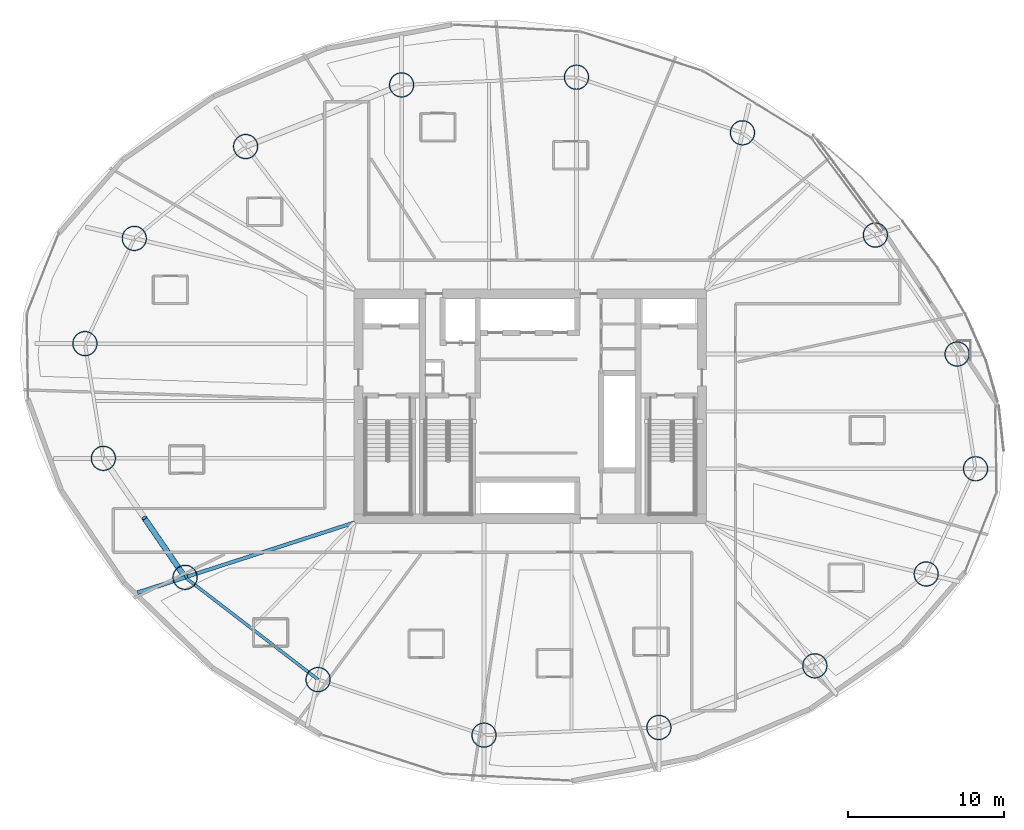
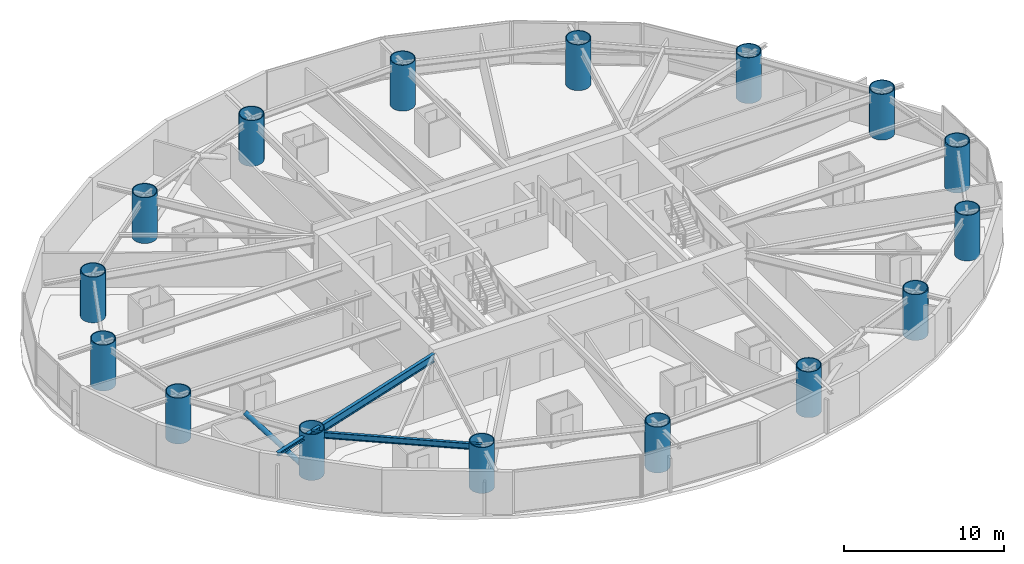
# One storey, part 1 of 26: 16 columns, 3 beams, 1 member.
"""IFC4 building model written with IfcOpenShell, lengths in metres."""

from ifc_helpers import new_model, si_unit, direction, frame, origin, origin_2d, place, context, subcontext, project, spatial, hollow_circle, i_section, extrude, material, material_profile, profile_set, type_object, element, save


model = new_model("IFC4")

# Units and contexts
model_context = context("Model", 3, precision=1e-05, world=origin(), true_north=direction((0.0, 1.0)))
body_context = subcontext(model_context, "Body", "Model", "MODEL_VIEW")
ifc_project = project(units=[si_unit("LENGTHUNIT", "METRE"), si_unit("AREAUNIT", "SQUARE_METRE"), si_unit("VOLUMEUNIT", "CUBIC_METRE"), si_unit("PLANEANGLEUNIT", "RADIAN"), si_unit("MASSUNIT", "GRAM", prefix="KILO")], contexts=[model_context])

# Site, building, storey
site_placement = place(None, origin())
site = spatial("IfcSite", under=ifc_project, at=site_placement, CompositionType="ELEMENT")
building_placement = place(site_placement, origin())
building = spatial("IfcBuilding", under=site, at=building_placement, Name="Bramvorn Convention Spire", CompositionType="ELEMENT")
storey_placement = place(building_placement, frame((0.0, 0.0, 76.39990234375)))
storey = spatial("IfcBuildingStorey", under=building, at=storey_placement, Name="L17", CompositionType="ELEMENT", Elevation=76.39990234375)

# Columns
ifc_material = material(Name="Steel CSA G40.21 Grade 350 (350W)", Category="steel")
ifc_material_profile_1 = material_profile(ifc_material, hollow_circle(Radius=0.800048828125, WallThickness=0.06005859375, at=origin_2d()))
ifc_profile_set_1 = profile_set([ifc_material_profile_1], Name="Steel CSA G40.21 Grade 350 (350W) - CFT1600X60")
column_type = type_object("IfcColumnType", Name="COL-CFT1600X60", PredefinedType="COLUMN", material=ifc_profile_set_1)
for number, where, z_axis, x_axis, name in (
    (1, (66.519775390625, 21.99169921875, 0.0), (0.0, 0.0, 1.0), (1.0, 0.0, 0.0), "L17 composite CFT mega-column MC01"),
    (2, (65.338623046875, 29.340087890625, 0.0), (0.0, 0.0, 1.0), (1.0, 0.0, 0.0), "L17 composite CFT mega-column MC02"),
    (3, (60.105224609375, 36.960205078125, 0.0), (0.0, 0.0, 1.0), (1.0, 0.0, 0.0), "L17 composite CFT mega-column MC03"),
    (4, (51.59033203125, 43.509033203125, 0.0), (0.0, 0.0, 1.0), (1.0, 0.0, 0.0), "L17 composite CFT mega-column MC04"),
    (5, (40.9609375, 47.06884765625, 0.0), (0.0, 0.0, 1.0), (1.0, 0.0, 0.0), "L17 composite CFT mega-column MC05"),
    (6, (29.76220703125, 46.57666015625, 0.0), (0.0, 0.0, 1.0), (1.0, 0.0, 0.0), "L17 composite CFT mega-column MC06"),
    (7, (19.772216796875, 42.628662109375, 0.0), (0.0, 0.0, 1.0), (1.0, 0.0, 0.0), "L17 composite CFT mega-column MC07"),
    (8, (12.64111328125, 36.746337890625, 0.0), (0.0, 0.0, 1.0), (1.0, 0.0, 0.0), "L17 composite CFT mega-column MC08"),
    (9, (9.480224609375, 30.00830078125, 0.0), (0.0, 0.0, 1.0), (1.0, 0.0, 0.0), "L17 composite CFT mega-column MC09"),
    (10, (10.661376953125, 22.659912109375, 0.0), (0.0, 0.0, 1.0), (1.0, 0.0, 0.0), "L17 composite CFT mega-column MC10"),
    (11, (15.894775390625, 15.039794921875, 0.0), (0.0, 0.0, 1.0), (1.0, 0.0, 0.0), "L17 composite CFT mega-column MC11"),
    (12, (24.40966796875, 8.490966796875, 0.0), (0.0, 0.0, 1.0), (1.0, 0.0, 0.0), "L17 composite CFT mega-column MC12"),
    (13, (35.0390625, 4.93115234375, 0.0), (0.0, 0.0, 1.0), (1.0, 0.0, 0.0), "L17 composite CFT mega-column MC13"),
    (14, (46.23779296875, 5.42333984375, 0.0), (0.0, 0.0, 1.0), (1.0, 0.0, 0.0), "L17 composite CFT mega-column MC14"),
    (15, (56.227783203125, 9.371337890625, 0.0), (0.0, 0.0, 1.0), (1.0, 0.0, 0.0), "L17 composite CFT mega-column MC15"),
    (16, (63.35888671875, 15.253662109375, 0.0), (0.0, 0.0, 1.0), (1.0, 0.0, 0.0), "L17 composite CFT mega-column MC16"),
):
    element("IfcColumn", number, at=place(storey_placement, frame(where, z_axis=z_axis, x_axis=x_axis)), inside=storey, type_object=column_type, Name=name, PredefinedType="COLUMN", context=body_context, shape_type="SweptSolid", body=[
        extrude(hollow_circle(Radius=0.800048828125, WallThickness=0.06005859375, at=origin_2d()), origin(), (0.0, 0.0, 1.0), 3.5),
    ])

# Beams
ifc_material_profile_2 = material_profile(ifc_material, i_section(OverallWidth=0.25390625, OverallDepth=0.2529296875, WebThickness=0.008544921875, FlangeThickness=0.01416015625, FilletRadius=0.011962890625, at=origin_2d()))
ifc_profile_set_2 = profile_set([ifc_material_profile_2], Name="Steel CSA G40.21 Grade 350 (350W) - W250X73")
beam_type_1 = type_object("IfcBeamType", Name="BM-W250X73", PredefinedType="BEAM", material=ifc_profile_set_2)
beam_1_placement = place(storey_placement, frame((15.894775390625, 15.039794921875, 3.12353515625), z_axis=(-0.951483286173, -0.307700432454, 0.0), x_axis=(0.307700432454, -0.951483286173, 0.0)))
element("IfcBeam", 17, at=beam_1_placement, inside=storey, type_object=beam_type_1, Name="L17 slab-edge cantilever tip beam MC11", PredefinedType="BEAM", context=body_context, shape_type="SweptSolid", body=[
    extrude(i_section(OverallWidth=0.25390625, OverallDepth=0.2529296875, WebThickness=0.008544921875, FlangeThickness=0.01416015625, FilletRadius=0.011962890625, at=origin_2d()), origin(), (0.0, 0.0, 1.0), 3.199951171875),
])
ifc_material_profile_3 = material_profile(ifc_material, i_section(OverallWidth=0.194091796875, OverallDepth=0.468994140625, WebThickness=0.0126953125, FlangeThickness=0.0205078125, FilletRadius=0.01806640625, at=origin_2d()))
ifc_profile_set_3 = profile_set([ifc_material_profile_3], Name="Steel CSA G40.21 Grade 350 (350W) - W460X106")
beam_type_2 = type_object("IfcBeamType", Name="BM-W460X106", PredefinedType="SPANDREL", material=ifc_profile_set_3)
beam_2_placement = place(storey_placement, frame((15.894775390625, 15.039794921875, 3.015625), z_axis=(0.792672990445, -0.609647053809, 0.0), x_axis=(0.609647053809, 0.792672990445, 0.0)))
element("IfcBeam", 18, at=beam_2_placement, inside=storey, type_object=beam_type_2, Name="L17 mega-column ring beam 11", PredefinedType="SPANDREL", context=body_context, shape_type="SweptSolid", body=[
    extrude(i_section(OverallWidth=0.194091796875, OverallDepth=0.468994140625, WebThickness=0.0126953125, FlangeThickness=0.0205078125, FilletRadius=0.01806640625, at=origin_2d()), origin(), (0.0, 0.0, 1.0), 10.741943359375),
])
ifc_material_profile_4 = material_profile(ifc_material, i_section(OverallWidth=0.22998046875, OverallDepth=0.616943359375, WebThickness=0.01318359375, FlangeThickness=0.022216796875, FilletRadius=0.02001953125, at=origin_2d()))
ifc_profile_set_4 = profile_set([ifc_material_profile_4], Name="Steel CSA G40.21 Grade 350 (350W) - W610X140")
beam_type_3 = type_object("IfcBeamType", Name="BM-W610X140", PredefinedType="BEAM", material=ifc_profile_set_4)
beam_3_placement = place(storey_placement, frame((26.75, 18.550048828125, 2.941650390625), z_axis=(-0.951488933275, -0.307682969719, 0.0), x_axis=(0.307682969719, -0.951488933275, 0.0)))
element("IfcBeam", 19, at=beam_3_placement, inside=storey, type_object=beam_type_3, Name="L17 radial floor girder MC11", PredefinedType="BEAM", context=body_context, shape_type="SweptSolid", body=[
    extrude(i_section(OverallWidth=0.22998046875, OverallDepth=0.616943359375, WebThickness=0.01318359375, FlangeThickness=0.022216796875, FilletRadius=0.02001953125, at=origin_2d()), origin(), (0.0, 0.0, 1.0), 11.40869140625),
])

# Member
ifc_material_profile_5 = material_profile(ifc_material, hollow_circle(Radius=0.177734375, WallThickness=0.015869140625, at=origin_2d()))
ifc_profile_set_5 = profile_set([ifc_material_profile_5], Name="Steel CSA G40.21 Grade 350 (350W) - CHS356X16")
member_type = type_object("IfcMemberType", Name="MBR-CHS356X16", PredefinedType="BRACE", material=ifc_profile_set_5)
member_placement = place(storey_placement, frame((15.894775390625, 15.039794921875, 0.0), z_axis=(-0.463106048325, 0.674307985647, 0.575188254833), x_axis=(-0.824316157743, -0.566129730789, 0.0)))
element("IfcMember", 20, at=member_placement, inside=storey, type_object=member_type, Name="L17 perimeter Gothic lancet brace 10B", PredefinedType="BRACE", context=body_context, shape_type="SweptSolid", body=[
    extrude(hollow_circle(Radius=0.177734375, WallThickness=0.015869140625, at=origin_2d()), origin(), (0.0, 0.0, 1.0), 5.650390625),
])

save(model, "model.ifc")
